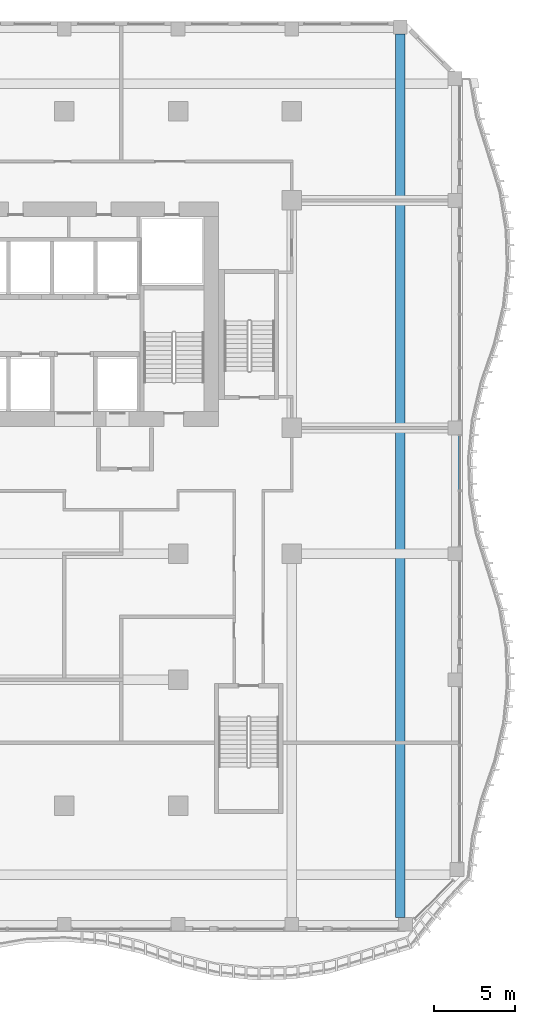
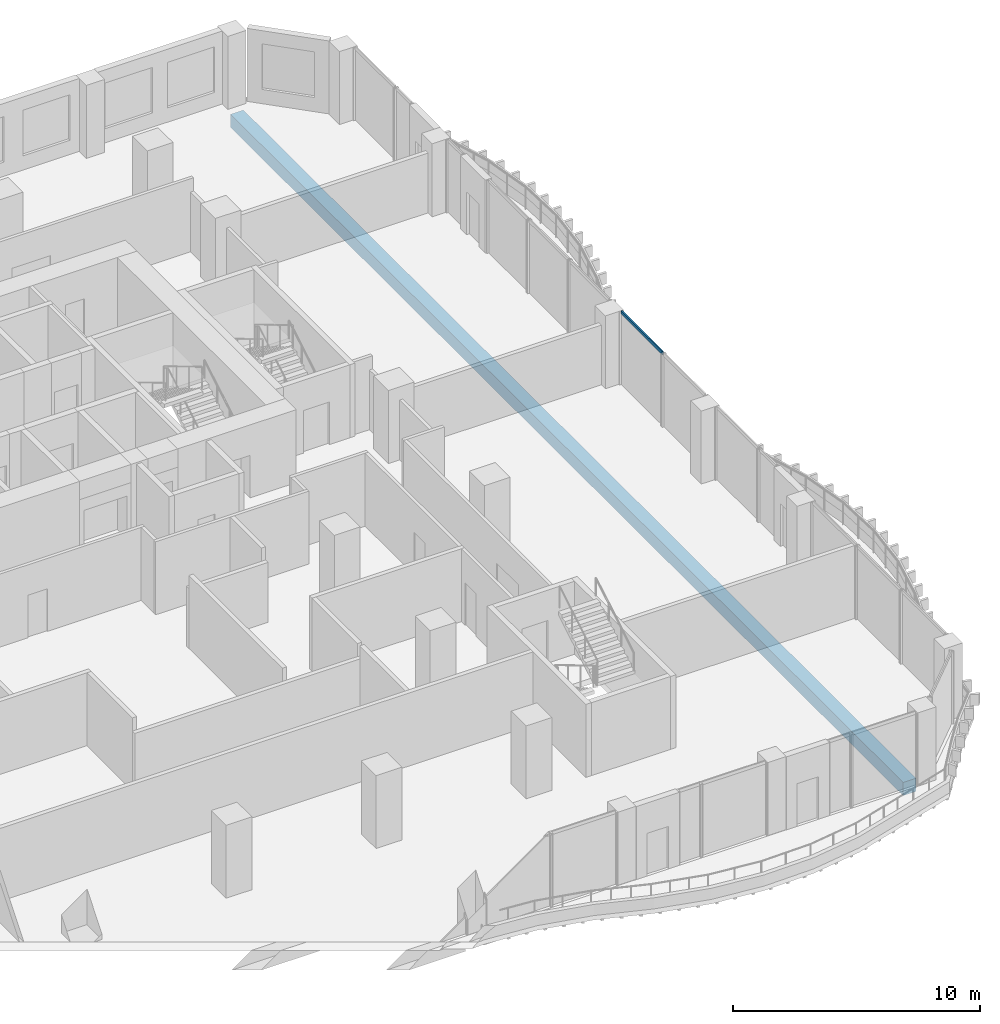
# One storey, part 5 of 19: 1 beam, 1 member, 1 element without a shape of its own.
"""IFC4 building model written with IfcOpenShell, lengths in metres."""

from ifc_helpers import new_model, si_unit, direction, frame, origin, origin_2d, place, context, subcontext, project, spatial, rectangle, extrude, source, transform, mapped, material, material_profile, profile_set, type_object, element, aggregate, save


model = new_model("IFC4")

# Units and contexts
model_context = context("Model", 3, precision=1e-05, world=origin(), true_north=direction((0.0, 1.0)))
body_context = subcontext(model_context, "Body", "Model", "MODEL_VIEW")
ifc_project = project(units=[si_unit("LENGTHUNIT", "METRE"), si_unit("AREAUNIT", "SQUARE_METRE"), si_unit("VOLUMEUNIT", "CUBIC_METRE"), si_unit("PLANEANGLEUNIT", "RADIAN"), si_unit("MASSUNIT", "GRAM", prefix="KILO")], contexts=[model_context])

# Site, building, storey
site_placement = place(None, origin())
site = spatial("IfcSite", under=ifc_project, at=site_placement, CompositionType="ELEMENT")
building_placement = place(site_placement, origin())
building = spatial("IfcBuilding", under=site, at=building_placement, Name="Kilnfold Tower and Market Hall", CompositionType="ELEMENT")
storey_placement = place(building_placement, frame((0.0, 0.0, 124.60009765625)))
storey = spatial("IfcBuildingStorey", under=building, at=storey_placement, Name="L29", CompositionType="ELEMENT", Elevation=124.60009765625)

# Beam
ifc_material_1 = material(Name="Concrete C45", Category="concrete")
ifc_material_profile_1 = material_profile(ifc_material_1, rectangle(XDim=0.60009765625, YDim=0.64990234375, at=origin_2d()), Name="RC 600x650")
ifc_profile_set_1 = profile_set([ifc_material_profile_1], Name="Concrete C45")
beam_type = type_object("IfcBeamType", Name="BEAM 600X650 C45", PredefinedType="BEAM", material=ifc_profile_set_1)
shared_shape_1 = source(origin(), body_context, "Body", "SweptSolid", [
    extrude(rectangle(XDim=0.60009765625, YDim=0.64990234375, at=origin_2d()), origin(), (0.0, 0.0, 1.0), 54.3818359375),
])
beam_placement = place(storey_placement, frame((29.179931640625, -22.125, -0.60498046875), z_axis=(0.0, 1.0, 0.0), x_axis=(-1.0, 0.0, 0.0)))
element("IfcBeam", 1, at=beam_placement, inside=storey, type_object=beam_type, Name="Beam BB650-B3.82", PredefinedType="BEAM", context=body_context, shape_type="MappedRepresentation", body=[
    mapped(shared_shape_1, transform((0.0, 0.0, 0.0))),
])

# Curtain wall, member
ifc_material_2 = material(Name="Aluminium and double glazing", Category="aluminium")
curtain_wall_type = type_object("IfcCurtainWallType", Name="CW OF2 VALLEY GLAZING", PredefinedType="NOTDEFINED", material=ifc_material_2)
curtain_wall_placement = place(storey_placement, origin())
curtain_wall = element("IfcCurtainWall", 2, at=curtain_wall_placement, inside=storey, type_object=curtain_wall_type, Name="Curtain wall CW2 L29 E", PredefinedType="NOTDEFINED")
ifc_material_3 = material(Name="Aluminium", Category="aluminium")
ifc_material_profile_2 = material_profile(ifc_material_3, rectangle(XDim=0.06005859375, YDim=0.159912109375, at=origin_2d()), Name="TRANSOM 60x160")
ifc_profile_set_2 = profile_set([ifc_material_profile_2], Name="Aluminium")
member_type = type_object("IfcMemberType", Name="TRANSOM 60X160", PredefinedType="USERDEFINED", material=ifc_profile_set_2)
shared_shape_2 = source(origin(), body_context, "Body", "SweptSolid", [
    extrude(rectangle(XDim=0.06005859375, YDim=0.159912109375, at=origin_2d()), origin(), (0.0, 0.0, 1.0), 3.329833984375),
])
member_placement = place(storey_placement, frame((32.85009765625, 4.18505859375, 3.56982421875), z_axis=(0.0, 1.0, 0.0), x_axis=(-1.0, 0.0, 0.0)))
member = element("IfcMember", 3, at=member_placement, type_object=member_type, Name="CW2 transom 1.2", ObjectType="TRANSOM", PredefinedType="USERDEFINED", context=body_context, shape_type="MappedRepresentation", body=[
    mapped(shared_shape_2, transform((0.0, 0.0, 0.0))),
])
aggregate(curtain_wall, [member])

save(model, "model.ifc")
